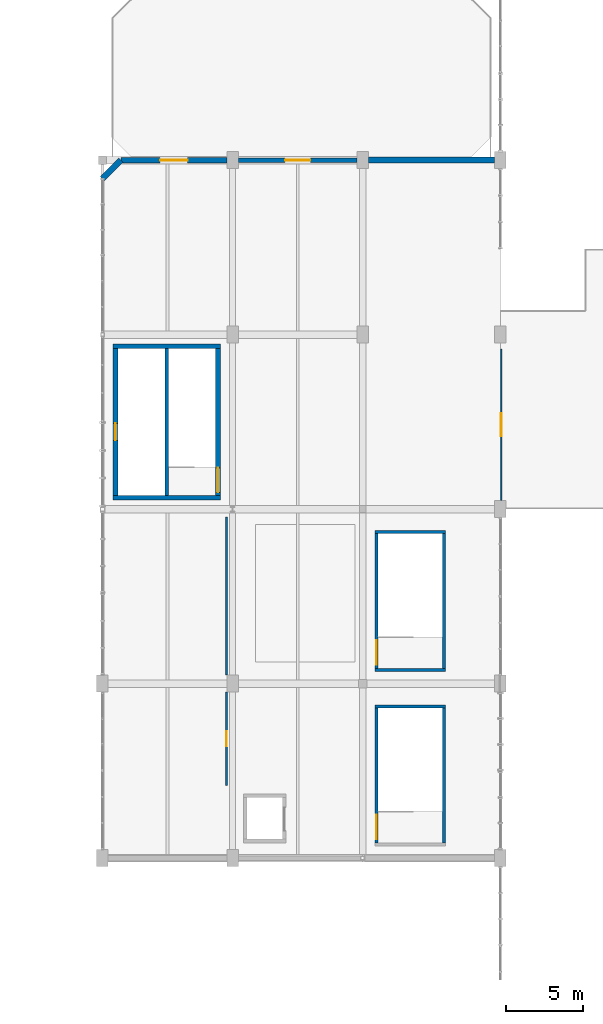
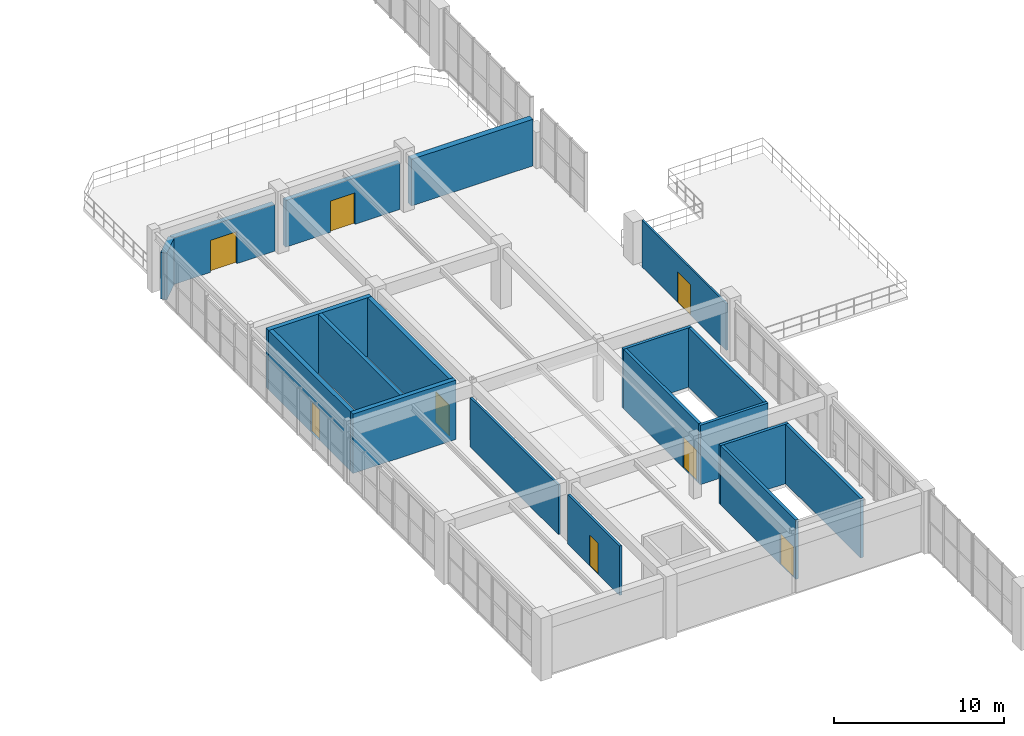
# One storey, part 67 of 80: 19 walls, 8 doors, 8 openings.
"""IFC4 building model written with IfcOpenShell, lengths in metres."""

from ifc_helpers import new_model, si_unit, direction, frame, frame_2d, origin, place, context, subcontext, project, spatial, rectangle, extrude, material, layer, layer_set, type_object, element, fill, save


model = new_model("IFC4")

# Units and contexts
model_context = context("Model", 3, precision=1e-05, world=origin(), true_north=direction((0.0, 1.0)))
body_context = subcontext(model_context, "Body", "Model", "MODEL_VIEW")
ifc_project = project(units=[si_unit("LENGTHUNIT", "METRE"), si_unit("AREAUNIT", "SQUARE_METRE"), si_unit("VOLUMEUNIT", "CUBIC_METRE"), si_unit("PLANEANGLEUNIT", "RADIAN"), si_unit("MASSUNIT", "GRAM", prefix="KILO"), si_unit("POWERUNIT", "WATT"), si_unit("THERMODYNAMICTEMPERATUREUNIT", "KELVIN")], contexts=[model_context])

# Site, building, storey
site_placement = place(None, origin())
site = spatial("IfcSite", under=ifc_project, at=site_placement, CompositionType="ELEMENT")
building_placement = place(site_placement, origin())
building = spatial("IfcBuilding", under=site, at=building_placement, Name="Kelmbourne Parkland Aquatics Centre", CompositionType="ELEMENT")
storey_placement = place(building_placement, frame((0.0, 0.0, 10.199951171875)))
storey = spatial("IfcBuildingStorey", under=building, at=storey_placement, Name="L02", CompositionType="ELEMENT", Elevation=10.199951171875)

# Walls
ifc_material_1 = material(Name="Concrete C40/50", Category="concrete")
ifc_layer_1 = layer(ifc_material_1, 0.25)
ifc_layer_set_1 = layer_set([ifc_layer_1], Name="Concrete C40/50")
wall_type_1 = type_object("IfcWallType", Name="W-CORE-250", PredefinedType="SHEAR", material=ifc_layer_set_1)
wall_1_placement = place(storey_placement, frame((106.199951171875, 35.89990234375, 0.0), z_axis=(0.0, 0.0, 1.0), x_axis=(0.0, 1.0, 0.0)))
element("IfcWall", 1, at=wall_1_placement, inside=storey, type_object=wall_type_1, Name="East Spine Club and Village Core divider wall (L02)", PredefinedType="SHEAR", context=body_context, shape_type="SweptSolid", body=[
    extrude(rectangle(XDim=9.60009765625, YDim=0.25, at=frame_2d((4.800048828125, 0.0))), origin(), (0.0, 0.0, 1.0), 4.260009765625),
])
ifc_layer_2 = layer(ifc_material_1, 0.300048828125)
ifc_layer_set_2 = layer_set([ifc_layer_2], Name="Concrete C40/50")
wall_type_2 = type_object("IfcWallType", Name="W-CORE-300", PredefinedType="SHEAR", material=ifc_layer_set_2)
for number, where, z_axis, x_axis, name in (
    (2, (102.699951171875, 35.75, 0.0), (0.0, 0.0, 1.0), (1.0, 0.0, 0.0), "East Spine Club and Village Core south wall (L02)"),
    (3, (102.699951171875, 45.64990234375, 0.0), (0.0, 0.0, 1.0), (1.0, 0.0, 0.0), "East Spine Club and Village Core north wall (L02)"),
):
    element("IfcWall", number, at=place(storey_placement, frame(where, z_axis=z_axis, x_axis=x_axis)), inside=storey, type_object=wall_type_2, Name=name, PredefinedType="SHEAR", context=body_context, shape_type="SweptSolid", body=[
        extrude(rectangle(XDim=7.0, YDim=0.300048828125, at=frame_2d((3.5, 0.0))), origin(), (0.0, 0.0, 1.0), 4.260009765625),
    ])

# Wall, opening, door
wall_2_placement = place(storey_placement, frame((102.85009765625, 35.89990234375, 0.0), z_axis=(0.0, 0.0, 1.0), x_axis=(0.0, 1.0, 0.0)))
wall_2 = element("IfcWall", 4, at=wall_2_placement, inside=storey, type_object=wall_type_2, Name="East Spine Club and Village Core west wall (L02)", PredefinedType="SHEAR", context=body_context, shape_type="SweptSolid", body=[
    extrude(rectangle(XDim=9.60009765625, YDim=0.300048828125, at=frame_2d((4.800048828125, 0.0))), origin(), (0.0, 0.0, 1.0), 4.260009765625),
])
opening_1_placement = place(wall_2_placement, frame((3.60009765625, 0.0, 0.0)))
opening_1 = element("IfcOpeningElement", 5, at=opening_1_placement, cuts=wall_2, Name="Opening LD01", PredefinedType="OPENING", context=body_context, shape_type="SweptSolid", body=[
    extrude(rectangle(XDim=1.10009765625, YDim=2.199951171875, at=frame_2d((0.550048828125, 1.10009765625))), frame((0.0, 0.162109375, 0.0), z_axis=(0.0, -1.0, 0.0), x_axis=(1.0, 0.0, 0.0)), (0.0, 0.0, 1.0), 0.323974609375),
])
ifc_material_2 = material(Name="Marine-grade stainless steel and fire-rated hardwood doorset", Category="steel")
ifc_layer_3 = layer(ifc_material_2, 0.050048828125)
ifc_layer_set_3 = layer_set([ifc_layer_3], Name="Marine-grade stainless steel and fire-rated hardwood doorset")
door_type_1 = type_object("IfcDoorType", Name="DR-LD-110", OperationType="NOTDEFINED", PredefinedType="DOOR", material=ifc_layer_set_3)
door_1_placement = place(opening_1_placement, origin())
door_1 = element("IfcDoor", 6, at=door_1_placement, inside=storey, type_object=door_type_1, Name="Lift landing sliding door LF05 (L02)", OperationType="SLIDING_TO_LEFT", OverallHeight=2.199951171875, OverallWidth=1.10009765625, PredefinedType="DOOR", context=body_context, shape_type="SweptSolid", body=[
    extrude(rectangle(XDim=1.10009765625, YDim=2.199951171875, at=frame_2d((0.550048828125, 1.10009765625))), frame((0.0, 0.02490234375, 0.0), z_axis=(0.0, -1.0, 0.0), x_axis=(1.0, 0.0, 0.0)), (0.0, 0.0, 1.0), 0.050048828125),
])
fill(opening_1, door_1)

wall_3_placement = place(storey_placement, frame((109.550048828125, 35.89990234375, 0.0), z_axis=(0.0, 0.0, 1.0), x_axis=(0.0, 1.0, 0.0)))
wall_3 = element("IfcWall", 7, at=wall_3_placement, inside=storey, type_object=wall_type_2, Name="East Spine Club and Village Core east wall (L02)", PredefinedType="SHEAR", context=body_context, shape_type="SweptSolid", body=[
    extrude(rectangle(XDim=9.60009765625, YDim=0.300048828125, at=frame_2d((4.800048828125, 0.0))), origin(), (0.0, 0.0, 1.0), 4.260009765625),
])
opening_2_placement = place(wall_3_placement, frame((0.199951171875, 0.0, 0.0)))
opening_2 = element("IfcOpeningElement", 8, at=opening_2_placement, cuts=wall_3, Name="Opening FD02", PredefinedType="OPENING", context=body_context, shape_type="SweptSolid", body=[
    extrude(rectangle(XDim=1.60009765625, YDim=2.199951171875, at=frame_2d((0.800048828125, 1.10009765625))), frame((0.0, 0.162109375, 0.0), z_axis=(0.0, -1.0, 0.0), x_axis=(1.0, 0.0, 0.0)), (0.0, 0.0, 1.0), 0.323974609375),
])
ifc_layer_4 = layer(ifc_material_2, 0.050048828125)
ifc_layer_set_4 = layer_set([ifc_layer_4], Name="Marine-grade stainless steel and fire-rated hardwood doorset")
door_type_2 = type_object("IfcDoorType", Name="DR-FD-160", OperationType="NOTDEFINED", PredefinedType="DOOR", material=ifc_layer_set_4)
door_2_placement = place(opening_2_placement, frame((1.60009765625, 0.0, 0.0), z_axis=(0.0, 0.0, 1.0), x_axis=(-1.0, 0.0, 0.0)))
door_2 = element("IfcDoor", 9, at=door_2_placement, inside=storey, type_object=door_type_2, Name="Fire stair door ST04 (L02)", OperationType="DOUBLE_DOOR_SINGLE_SWING", OverallHeight=2.199951171875, OverallWidth=1.60009765625, PredefinedType="DOOR", context=body_context, shape_type="SweptSolid", body=[
    extrude(rectangle(XDim=1.60009765625, YDim=2.199951171875, at=frame_2d((0.800048828125, 1.10009765625))), frame((0.0, 0.02490234375, 0.0), z_axis=(0.0, -1.0, 0.0), x_axis=(1.0, 0.0, 0.0)), (0.0, 0.0, 1.0), 0.050048828125),
])
fill(opening_2, door_2)

ifc_material_3 = material(Name="Russet clinker clay brickwork", Category="masonry")
ifc_layer_5 = layer(ifc_material_3, 0.31005859375)
ifc_layer_set_5 = layer_set([ifc_layer_5], Name="Russet clinker clay brickwork")
wall_type_3 = type_object("IfcWallType", Name="W-EXT-310", PredefinedType="STANDARD", material=ifc_layer_set_5)
wall_4_placement = place(storey_placement, frame((110.876953125, 57.800048828125, 0.0), z_axis=(0.0, 0.0, 1.0), x_axis=(1.0, 0.0, 0.0)))
wall_4 = element("IfcWall", 10, at=wall_4_placement, inside=storey, type_object=wall_type_3, Name="Exterior polychrome brick wall EW-L02-110", PredefinedType="STANDARD", context=body_context, shape_type="SweptSolid", body=[
    extrude(rectangle(XDim=7.74609375, YDim=0.31005859375, at=frame_2d((3.873046875, 0.0))), origin(), (0.0, 0.0, 1.0), 3.344970703125),
])
opening_3_placement = place(wall_4_placement, frame((3.048095703125, 0.0, 0.0)))
opening_3 = element("IfcOpeningElement", 11, at=opening_3_placement, cuts=wall_4, Name="Opening TRD2", PredefinedType="OPENING", context=body_context, shape_type="SweptSolid", body=[
    extrude(rectangle(XDim=1.64990234375, YDim=2.25, at=frame_2d((0.824951171875, 1.125))), frame((0.0, 0.1669921875, 0.0), z_axis=(0.0, -1.0, 0.0), x_axis=(1.0, 0.0, 0.0)), (0.0, 0.0, 1.0), 0.333984375),
])
ifc_material_4 = material(Name="Thermally broken anodised aluminium commercial door", Category="aluminium")
ifc_layer_6 = layer(ifc_material_4, 0.06005859375)
ifc_layer_set_6 = layer_set([ifc_layer_6], Name="Thermally broken anodised aluminium commercial door")
door_type_3 = type_object("IfcDoorType", Name="DR-TER-165", OperationType="NOTDEFINED", PredefinedType="DOOR", material=ifc_layer_set_6)
door_3_placement = place(opening_3_placement, origin())
door_3 = element("IfcDoor", 12, at=door_3_placement, inside=storey, type_object=door_type_3, Name="Walkable terrace access door EW-L02-110", OperationType="DOUBLE_DOOR_SINGLE_SWING", OverallHeight=2.25, OverallWidth=1.64990234375, PredefinedType="DOOR", context=body_context, shape_type="SweptSolid", body=[
    extrude(rectangle(XDim=1.64990234375, YDim=2.25, at=frame_2d((0.824951171875, 1.125))), frame((0.0, 0.02490234375, 0.0), z_axis=(0.0, -1.0, 0.0), x_axis=(1.0, 0.0, 0.0)), (0.0, 0.0, 1.0), 0.050048828125),
])
fill(opening_3, door_3)

ifc_material_5 = material(Name="Polychrome glazed brick header coursework", Category="masonry")
ifc_layer_7 = layer(ifc_material_5, 0.35009765625)
ifc_layer_set_7 = layer_set([ifc_layer_7], Name="Polychrome glazed brick header coursework")
wall_type_4 = type_object("IfcWallType", Name="W-EXT-350", PredefinedType="STANDARD", material=ifc_layer_set_7)
wall_5_placement = place(storey_placement, frame((103.199951171875, 57.800048828125, 0.0), z_axis=(0.0, 0.0, 1.0), x_axis=(1.0, 0.0, 0.0)))
wall_5 = element("IfcWall", 13, at=wall_5_placement, inside=storey, type_object=wall_type_4, Name="Exterior polychrome brick wall EW-L02-109", PredefinedType="STANDARD", context=body_context, shape_type="SweptSolid", body=[
    extrude(rectangle(XDim=6.923095703125, YDim=0.35009765625, at=frame_2d((3.46142578125, 0.0))), origin(), (0.0, 0.0, 1.0), 3.344970703125),
])
opening_4_placement = place(wall_5_placement, frame((2.5615234375, 0.0, 0.0)))
opening_4 = element("IfcOpeningElement", 14, at=opening_4_placement, cuts=wall_5, Name="Opening TRD1", PredefinedType="OPENING", context=body_context, shape_type="SweptSolid", body=[
    extrude(rectangle(XDim=1.800048828125, YDim=2.300048828125, at=frame_2d((0.89990234375, 1.14990234375))), frame((0.0, 0.18701171875, 0.0), z_axis=(0.0, -1.0, 0.0), x_axis=(1.0, 0.0, 0.0)), (0.0, 0.0, 1.0), 0.3740234375),
])
ifc_layer_8 = layer(ifc_material_4, 0.06005859375)
ifc_layer_set_8 = layer_set([ifc_layer_8], Name="Thermally broken anodised aluminium commercial door")
door_type_4 = type_object("IfcDoorType", Name="DR-TER-180", OperationType="NOTDEFINED", PredefinedType="DOOR", material=ifc_layer_set_8)
door_4_placement = place(opening_4_placement, origin())
door_4 = element("IfcDoor", 15, at=door_4_placement, inside=storey, type_object=door_type_4, Name="Walkable terrace access door EW-L02-109", OperationType="DOUBLE_DOOR_SINGLE_SWING", OverallHeight=2.300048828125, OverallWidth=1.800048828125, PredefinedType="DOOR", context=body_context, shape_type="SweptSolid", body=[
    extrude(rectangle(XDim=1.800048828125, YDim=2.300048828125, at=frame_2d((0.89990234375, 1.14990234375))), frame((0.0, 0.02490234375, 0.0), z_axis=(0.0, -1.0, 0.0), x_axis=(1.0, 0.0, 0.0)), (0.0, 0.0, 1.0), 0.050048828125),
])
fill(opening_4, door_4)

# Walls
ifc_layer_9 = layer(ifc_material_3, 0.389892578125)
ifc_layer_set_9 = layer_set([ifc_layer_9], Name="Russet clinker clay brickwork")
wall_type_5 = type_object("IfcWallType", Name="W-EXT-390", PredefinedType="STANDARD", material=ifc_layer_set_9)
wall_6_placement = place(storey_placement, frame((119.376953125, 57.800048828125, 0.0), z_axis=(0.0, 0.0, 1.0), x_axis=(1.0, 0.0, 0.0)))
element("IfcWall", 16, at=wall_6_placement, inside=storey, type_object=wall_type_5, Name="Exterior polychrome brick wall EW-L02-111", PredefinedType="STANDARD", context=body_context, shape_type="SweptSolid", body=[
    extrude(rectangle(XDim=8.24609375, YDim=0.389892578125, at=frame_2d((4.123046875, 0.0))), origin(), (0.0, 0.0, 1.0), 3.344970703125),
])
wall_7_placement = place(storey_placement, frame((102.0, 56.60009765625, 0.0), z_axis=(0.0, 0.0, 1.0), x_axis=(0.707106781187, 0.707106781187, 0.0)))
element("IfcWall", 17, at=wall_7_placement, inside=storey, type_object=wall_type_5, Name="Stepped brick corner bevel CHAM-L02-V4", PredefinedType="STANDARD", context=body_context, shape_type="SweptSolid", body=[
    extrude(rectangle(XDim=1.697021484375, YDim=0.389892578125, at=frame_2d((0.8486328125, 0.0))), origin(), (0.0, 0.0, 1.0), 3.344970703125),
])
ifc_material_6 = material(Name="Concrete blockwork C32/40", Category="masonry")
ifc_layer_10 = layer(ifc_material_6, 0.199951171875)
ifc_layer_set_10 = layer_set([ifc_layer_10], Name="Concrete blockwork C32/40")
wall_type_6 = type_object("IfcWallType", Name="W-FIRE-200", PredefinedType="SOLIDWALL", material=ifc_layer_set_10)
wall_8_placement = place(storey_placement, frame((119.800048828125, 22.10009765625, 0.0), z_axis=(0.0, 0.0, 1.0), x_axis=(1.0, 0.0, 0.0)))
element("IfcWall", 18, at=wall_8_placement, inside=storey, type_object=wall_type_6, Name="South East Concourse Exit Stair north enclosure (L02)", PredefinedType="SOLIDWALL", context=body_context, shape_type="SweptSolid", body=[
    extrude(rectangle(XDim=4.599853515625, YDim=0.199951171875, at=frame_2d((2.2998046875, 0.0))), origin(), (0.0, 0.0, 1.0), 4.260009765625),
])

# Wall, opening, door
wall_9_placement = place(storey_placement, frame((119.89990234375, 13.199951171875, 0.0), z_axis=(0.0, 0.0, 1.0), x_axis=(0.0, 1.0, 0.0)))
wall_9 = element("IfcWall", 19, at=wall_9_placement, inside=storey, type_object=wall_type_6, Name="South East Concourse Exit Stair west enclosure (L02)", PredefinedType="SOLIDWALL", context=body_context, shape_type="SweptSolid", body=[
    extrude(rectangle(XDim=8.800048828125, YDim=0.199951171875, at=frame_2d((4.39990234375, 0.0))), origin(), (0.0, 0.0, 1.0), 4.260009765625),
])
opening_5_placement = place(wall_9_placement, frame((0.219970703125, 0.0, 0.0)))
opening_5 = element("IfcOpeningElement", 20, at=opening_5_placement, cuts=wall_9, Name="Opening FD02", PredefinedType="OPENING", context=body_context, shape_type="SweptSolid", body=[
    extrude(rectangle(XDim=1.60009765625, YDim=2.199951171875, at=frame_2d((0.800048828125, 1.10009765625))), frame((0.0, 0.11181640625, 0.0), z_axis=(0.0, -1.0, 0.0), x_axis=(1.0, 0.0, 0.0)), (0.0, 0.0, 1.0), 0.223876953125),
])
door_5_placement = place(opening_5_placement, origin())
door_5 = element("IfcDoor", 21, at=door_5_placement, inside=storey, type_object=door_type_2, Name="Exit stair fire door ST09 (L02)", OperationType="DOUBLE_DOOR_SINGLE_SWING", OverallHeight=2.199951171875, OverallWidth=1.60009765625, PredefinedType="DOOR", context=body_context, shape_type="SweptSolid", body=[
    extrude(rectangle(XDim=1.60009765625, YDim=2.199951171875, at=frame_2d((0.800048828125, 1.10009765625))), frame((0.0, 0.02490234375, 0.0), z_axis=(0.0, -1.0, 0.0), x_axis=(1.0, 0.0, 0.0)), (0.0, 0.0, 1.0), 0.050048828125),
])
fill(opening_5, door_5)

# Walls
wall_10_placement = place(storey_placement, frame((124.300048828125, 13.199951171875, 0.0), z_axis=(0.0, 0.0, 1.0), x_axis=(0.0, 1.0, 0.0)))
element("IfcWall", 22, at=wall_10_placement, inside=storey, type_object=wall_type_6, Name="South East Concourse Exit Stair east enclosure (L02)", PredefinedType="SOLIDWALL", context=body_context, shape_type="SweptSolid", body=[
    extrude(rectangle(XDim=8.800048828125, YDim=0.199951171875, at=frame_2d((4.39990234375, 0.0))), origin(), (0.0, 0.0, 1.0), 4.260009765625),
])
for number, where, z_axis, x_axis, name in (
    (23, (119.800048828125, 24.5, 0.0), (0.0, 0.0, 1.0), (1.0, 0.0, 0.0), "East Club Terrace Exit Stair south enclosure (L02)"),
    (24, (119.800048828125, 33.5, 0.0), (0.0, 0.0, 1.0), (1.0, 0.0, 0.0), "East Club Terrace Exit Stair north enclosure (L02)"),
):
    element("IfcWall", number, at=place(storey_placement, frame(where, z_axis=z_axis, x_axis=x_axis)), inside=storey, type_object=wall_type_6, Name=name, PredefinedType="SOLIDWALL", context=body_context, shape_type="SweptSolid", body=[
        extrude(rectangle(XDim=4.599853515625, YDim=0.199951171875, at=frame_2d((2.2998046875, 0.0))), origin(), (0.0, 0.0, 1.0), 4.260009765625),
    ])

# Wall, opening, door
wall_11_placement = place(storey_placement, frame((119.89990234375, 24.60009765625, 0.0), z_axis=(0.0, 0.0, 1.0), x_axis=(0.0, 1.0, 0.0)))
wall_11 = element("IfcWall", 25, at=wall_11_placement, inside=storey, type_object=wall_type_6, Name="East Club Terrace Exit Stair west enclosure (L02)", PredefinedType="SOLIDWALL", context=body_context, shape_type="SweptSolid", body=[
    extrude(rectangle(XDim=8.7998046875, YDim=0.199951171875, at=frame_2d((4.39990234375, 0.0))), origin(), (0.0, 0.0, 1.0), 4.260009765625),
])
opening_6_placement = place(wall_11_placement, frame((0.219970703125, 0.0, 0.0)))
opening_6 = element("IfcOpeningElement", 26, at=opening_6_placement, cuts=wall_11, Name="Opening FD02", PredefinedType="OPENING", context=body_context, shape_type="SweptSolid", body=[
    extrude(rectangle(XDim=1.60009765625, YDim=2.199951171875, at=frame_2d((0.800048828125, 1.10009765625))), frame((0.0, 0.11181640625, 0.0), z_axis=(0.0, -1.0, 0.0), x_axis=(1.0, 0.0, 0.0)), (0.0, 0.0, 1.0), 0.223876953125),
])
door_6_placement = place(opening_6_placement, origin())
door_6 = element("IfcDoor", 27, at=door_6_placement, inside=storey, type_object=door_type_2, Name="Exit stair fire door ST14 (L02)", OperationType="DOUBLE_DOOR_SINGLE_SWING", OverallHeight=2.199951171875, OverallWidth=1.60009765625, PredefinedType="DOOR", context=body_context, shape_type="SweptSolid", body=[
    extrude(rectangle(XDim=1.60009765625, YDim=2.199951171875, at=frame_2d((0.800048828125, 1.10009765625))), frame((0.0, 0.02490234375, 0.0), z_axis=(0.0, -1.0, 0.0), x_axis=(1.0, 0.0, 0.0)), (0.0, 0.0, 1.0), 0.050048828125),
])
fill(opening_6, door_6)

# Wall
wall_12_placement = place(storey_placement, frame((124.300048828125, 24.60009765625, 0.0), z_axis=(0.0, 0.0, 1.0), x_axis=(0.0, 1.0, 0.0)))
element("IfcWall", 28, at=wall_12_placement, inside=storey, type_object=wall_type_6, Name="East Club Terrace Exit Stair east enclosure (L02)", PredefinedType="SOLIDWALL", context=body_context, shape_type="SweptSolid", body=[
    extrude(rectangle(XDim=8.7998046875, YDim=0.199951171875, at=frame_2d((4.39990234375, 0.0))), origin(), (0.0, 0.0, 1.0), 4.260009765625),
])

# Wall, opening, door
ifc_material_7 = material(Name="Moisture-resistant acoustic stud partition", Category="gypsum")
ifc_layer_11 = layer(ifc_material_7, 0.1201171875)
ifc_layer_set_11 = layer_set([ifc_layer_11], Name="Moisture-resistant acoustic stud partition")
wall_type_7 = type_object("IfcWallType", Name="W-PART-120", PredefinedType="PARTITIONING", material=ifc_layer_set_11)
wall_13_placement = place(storey_placement, frame((128.050048828125, 35.552001953125, 0.0), z_axis=(0.0, 0.0, 1.0), x_axis=(0.0, 1.0, 0.0)))
wall_13 = element("IfcWall", 29, at=wall_13_placement, inside=storey, type_object=wall_type_7, Name="Interior partition PT-L02-087", PredefinedType="PARTITIONING", context=body_context, shape_type="SweptSolid", body=[
    extrude(rectangle(XDim=9.89794921875, YDim=0.1201171875, at=frame_2d((4.948974609375, 0.0))), origin(), (0.0, 0.0, 1.0), 3.35009765625),
])
opening_7_placement = place(wall_13_placement, frame((4.198974609375, 0.0, 0.0)))
opening_7 = element("IfcOpeningElement", 30, at=opening_7_placement, cuts=wall_13, Name="Opening ID02", PredefinedType="OPENING", context=body_context, shape_type="SweptSolid", body=[
    extrude(rectangle(XDim=1.5, YDim=2.199951171875, at=frame_2d((0.75, 1.10009765625))), frame((0.0, 0.072021484375, 0.0), z_axis=(0.0, -1.0, 0.0), x_axis=(1.0, 0.0, 0.0)), (0.0, 0.0, 1.0), 0.14404296875),
])
ifc_material_8 = material(Name="Marine-grade stainless steel and solid-core hardwood doorset", Category="timber")
ifc_layer_12 = layer(ifc_material_8, 0.050048828125)
ifc_layer_set_12 = layer_set([ifc_layer_12], Name="Marine-grade stainless steel and solid-core hardwood doorset")
door_type_5 = type_object("IfcDoorType", Name="DR-INT-150", OperationType="NOTDEFINED", PredefinedType="DOOR", material=ifc_layer_set_12)
door_7_placement = place(opening_7_placement, origin())
door_7 = element("IfcDoor", 31, at=door_7_placement, inside=storey, type_object=door_type_5, Name="Interior door ID02 (L02-047)", OperationType="DOUBLE_DOOR_SINGLE_SWING", OverallHeight=2.199951171875, OverallWidth=1.5, PredefinedType="DOOR", context=body_context, shape_type="SweptSolid", body=[
    extrude(rectangle(XDim=1.5, YDim=2.199951171875, at=frame_2d((0.75, 1.10009765625))), frame((0.0, 0.02490234375, 0.0), z_axis=(0.0, -1.0, 0.0), x_axis=(1.0, 0.0, 0.0)), (0.0, 0.0, 1.0), 0.050048828125),
])
fill(opening_7, door_7)

ifc_layer_13 = layer(ifc_material_7, 0.14990234375)
ifc_layer_set_13 = layer_set([ifc_layer_13], Name="Moisture-resistant acoustic stud partition")
wall_type_8 = type_object("IfcWallType", Name="W-PART-150", PredefinedType="PARTITIONING", material=ifc_layer_set_13)
wall_14_placement = place(storey_placement, frame((110.10009765625, 16.949951171875, 0.0), z_axis=(0.0, 0.0, 1.0), x_axis=(0.0, 1.0, 0.0)))
wall_14 = element("IfcWall", 32, at=wall_14_placement, inside=storey, type_object=wall_type_8, Name="Interior partition PT-L02-085", PredefinedType="PARTITIONING", context=body_context, shape_type="SweptSolid", body=[
    extrude(rectangle(XDim=6.09814453125, YDim=0.14990234375, at=frame_2d((3.049072265625, 0.0))), origin(), (0.0, 0.0, 1.0), 3.545166015625),
])
opening_8_placement = place(wall_14_placement, frame((2.549072265625, 0.0, 0.0)))
opening_8 = element("IfcOpeningElement", 33, at=opening_8_placement, cuts=wall_14, Name="Opening FD04", PredefinedType="OPENING", context=body_context, shape_type="SweptSolid", body=[
    extrude(rectangle(XDim=1.0, YDim=2.199951171875, at=frame_2d((0.5, 1.10009765625))), frame((0.0, 0.0869140625, 0.0), z_axis=(0.0, -1.0, 0.0), x_axis=(1.0, 0.0, 0.0)), (0.0, 0.0, 1.0), 0.173828125),
])
ifc_layer_14 = layer(ifc_material_2, 0.050048828125)
ifc_layer_set_14 = layer_set([ifc_layer_14], Name="Marine-grade stainless steel and fire-rated hardwood doorset")
door_type_6 = type_object("IfcDoorType", Name="DR-FD-100", OperationType="NOTDEFINED", PredefinedType="DOOR", material=ifc_layer_set_14)
door_8_placement = place(opening_8_placement, origin())
door_8 = element("IfcDoor", 34, at=door_8_placement, inside=storey, type_object=door_type_6, Name="Interior door FD04 (L02-046)", OperationType="SINGLE_SWING_RIGHT", OverallHeight=2.199951171875, OverallWidth=1.0, PredefinedType="DOOR", context=body_context, shape_type="SweptSolid", body=[
    extrude(rectangle(XDim=1.0, YDim=2.199951171875, at=frame_2d((0.5, 1.10009765625))), frame((0.0, 0.02490234375, 0.0), z_axis=(0.0, -1.0, 0.0), x_axis=(1.0, 0.0, 0.0)), (0.0, 0.0, 1.0), 0.050048828125),
])
fill(opening_8, door_8)

# Wall
wall_15_placement = place(storey_placement, frame((110.10009765625, 24.152099609375, 0.0), z_axis=(0.0, 0.0, 1.0), x_axis=(0.0, 1.0, 0.0)))
element("IfcWall", 35, at=wall_15_placement, inside=storey, type_object=wall_type_8, Name="Interior partition PT-L02-086", PredefinedType="PARTITIONING", context=body_context, shape_type="SweptSolid", body=[
    extrude(rectangle(XDim=10.347900390625, YDim=0.14990234375, at=frame_2d((5.173828125, 0.0))), origin(), (0.0, 0.0, 1.0), 3.545166015625),
])

save(model, "model.ifc")
